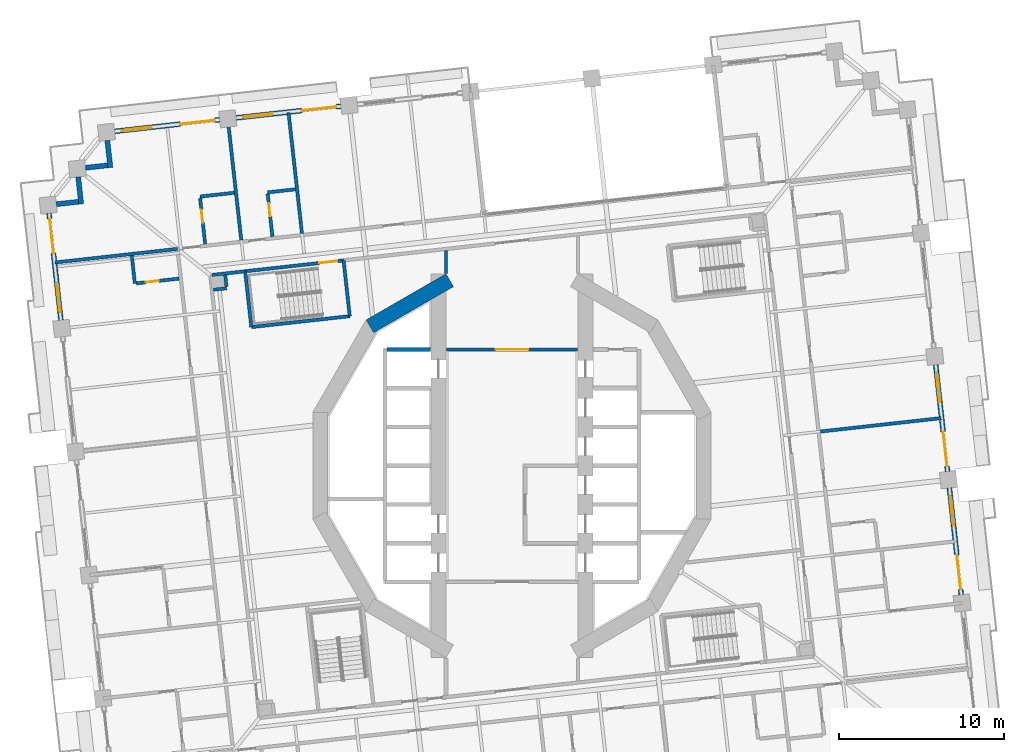
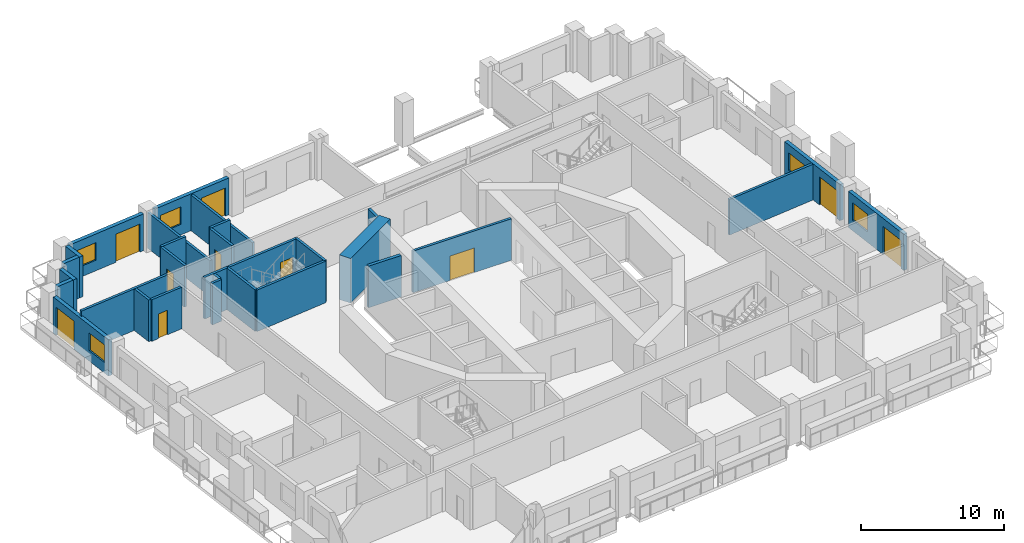
# One storey, part 11 of 20: 30 walls, 10 doors, 5 windows, 15 openings.
"""IFC4 building model written with IfcOpenShell, lengths in metres."""

from ifc_helpers import new_model, si_unit, direction, frame, frame_2d, origin, place, context, subcontext, project, spatial, rectangle, extrude, material, layer, layer_set, type_object, element, fill, save


model = new_model("IFC4")

# Units and contexts
model_context = context("Model", 3, precision=1e-05, world=origin(), true_north=direction((0.0, 1.0)))
body_context = subcontext(model_context, "Body", "Model", "MODEL_VIEW")
ifc_project = project(units=[si_unit("LENGTHUNIT", "METRE"), si_unit("AREAUNIT", "SQUARE_METRE"), si_unit("VOLUMEUNIT", "CUBIC_METRE"), si_unit("PLANEANGLEUNIT", "RADIAN"), si_unit("MASSUNIT", "GRAM", prefix="KILO")], contexts=[model_context])

# Site, building, storey
site_placement = place(None, origin())
site = spatial("IfcSite", under=ifc_project, at=site_placement, CompositionType="ELEMENT")
building_placement = place(site_placement, origin())
building = spatial("IfcBuilding", under=site, at=building_placement, Name="Cantera Rosa Tower", CompositionType="ELEMENT")
storey_placement = place(building_placement, frame((0.0, 0.0, 46.300048828125)))
storey = spatial("IfcBuildingStorey", under=building, at=storey_placement, Name="L08", CompositionType="ELEMENT", Elevation=46.300048828125)

# Walls
ifc_material_1 = material(Name="Gypsum board partition")
ifc_layer_1 = layer(ifc_material_1, 0.199951171875)
ifc_layer_set_1 = layer_set([ifc_layer_1], Name="CORRIDOR WALL 200 H3550")
wall_type_1 = type_object("IfcWallType", Name="CORRIDOR WALL 200 H3550", PredefinedType="PARTITIONING", material=ifc_layer_set_1)
wall_1_placement = place(storey_placement, frame((-16.172607421875, 11.787841796875, 0.0), z_axis=(0.0, 0.0, 1.0), x_axis=(-0.993905752705, -0.110233183482, 0.0)))
element("IfcWall", 1, at=wall_1_placement, inside=storey, type_object=wall_type_1, Name="CORRIDOR WALL L08-021", PredefinedType="PARTITIONING", context=body_context, shape_type="SweptSolid", body=[
    extrude(rectangle(XDim=2.026611328125, YDim=0.199951171875, at=frame_2d((1.01318359375, 0.0))), origin(), (0.0, 0.0, 1.0), 3.550048828125),
])
wall_2_placement = place(storey_placement, frame((-4.0, 13.038818359375, 0.0), z_axis=(0.0, 0.0, 1.0), x_axis=(0.0, -1.0, 0.0)))
element("IfcWall", 2, at=wall_2_placement, inside=storey, type_object=wall_type_1, Name="CORRIDOR WALL L08-053", PredefinedType="PARTITIONING", context=body_context, shape_type="SweptSolid", body=[
    extrude(rectangle(XDim=1.37158203125, YDim=0.199951171875, at=frame_2d((0.685791015625, 0.0))), origin(), (0.0, 0.0, 1.0), 3.550048828125),
])

# Wall, opening, door
wall_3_placement = place(storey_placement, frame((-3.969970703125, 7.050048828125, 0.0), z_axis=(0.0, 0.0, 1.0), x_axis=(1.0, 0.0, 0.0)))
wall_3 = element("IfcWall", 3, at=wall_3_placement, inside=storey, type_object=wall_type_1, Name="CORRIDOR WALL L08-054", PredefinedType="PARTITIONING", context=body_context, shape_type="SweptSolid", body=[
    extrude(rectangle(XDim=7.93994140625, YDim=0.199951171875, at=frame_2d((3.969970703125, 0.0))), origin(), (0.0, 0.0, 1.0), 3.550048828125),
])
opening_1_placement = place(wall_3_placement, frame((2.969970703125, 0.0, 0.0)))
opening_1 = element("IfcOpeningElement", 4, at=opening_1_placement, cuts=wall_3, Name="Opening L08-011", PredefinedType="OPENING", context=body_context, shape_type="SweptSolid", body=[
    extrude(rectangle(XDim=2.0, YDim=2.10009765625, at=frame_2d((1.0, 1.050048828125))), frame((0.0, 0.10986328125, 0.0), z_axis=(0.0, -1.0, 0.0), x_axis=(1.0, 0.0, 0.0)), (0.0, 0.0, 1.0), 0.219970703125),
])
ifc_material_2 = material(Name="Steel S355J2 (EN 10025-2)", Category="steel")
door_type_1 = type_object("IfcDoorType", Name="LOBBY SCREEN DOOR 2000x2100", OperationType="NOTDEFINED", PredefinedType="DOOR", material=ifc_material_2)
door_1_placement = place(opening_1_placement, origin())
door_1 = element("IfcDoor", 5, at=door_1_placement, inside=storey, type_object=door_type_1, Name="DOOR L08-011", OperationType="NOTDEFINED", OverallHeight=2.10009765625, OverallWidth=2.0, PredefinedType="DOOR", context=body_context, shape_type="SweptSolid", body=[
    extrude(rectangle(XDim=2.0, YDim=2.10009765625, at=frame_2d((1.0, 1.050048828125))), frame((0.0, 0.02490234375, 0.0), z_axis=(0.0, -1.0, 0.0), x_axis=(1.0, 0.0, 0.0)), (0.0, 0.0, 1.0), 0.050048828125),
])
fill(opening_1, door_1)

# Walls
ifc_material_3 = material(Name="Hollow clay masonry with cantera stone cladding", Category="masonry")
ifc_layer_2 = layer(ifc_material_3, 0.300048828125)
ifc_layer_set_2 = layer_set([ifc_layer_2], Name="EW-LOGGIA 300")
wall_type_2 = type_object("IfcWallType", Name="EW-LOGGIA 300", PredefinedType="SOLIDWALL", material=ifc_layer_set_2)
wall_4_placement = place(storey_placement, frame((-24.5244140625, 19.71484375, 0.0), z_axis=(0.0, 0.0, 1.0), x_axis=(0.110236638423, -0.993905369514, 0.0)))
element("IfcWall", 6, at=wall_4_placement, inside=storey, type_object=wall_type_2, Name="EN-L08-W14a", PredefinedType="SOLIDWALL", context=body_context, shape_type="SweptSolid", body=[
    extrude(rectangle(XDim=1.64990234375, YDim=0.300048828125, at=frame_2d((0.824951171875, 0.0))), origin(), (0.0, 0.0, 1.0), 3.5),
])
wall_5_placement = place(storey_placement, frame((-24.508056640625, 18.20751953125, 0.0), z_axis=(0.0, 0.0, 1.0), x_axis=(-0.993896959738, -0.110312435488, 0.0)))
element("IfcWall", 7, at=wall_5_placement, inside=storey, type_object=wall_type_2, Name="EN-L08-W14b", PredefinedType="SOLIDWALL", context=body_context, shape_type="SweptSolid", body=[
    extrude(rectangle(XDim=1.35009765625, YDim=0.300048828125, at=frame_2d((0.675048828125, 0.0))), origin(), (0.0, 0.0, 1.0), 3.5),
])
wall_6_placement = place(storey_placement, frame((-26.291748046875, 17.506591796875, 0.0), z_axis=(0.0, 0.0, 1.0), x_axis=(0.110382805355, -0.993889146878, 0.0)))
element("IfcWall", 8, at=wall_6_placement, inside=storey, type_object=wall_type_2, Name="EN-L08-W15a", PredefinedType="SOLIDWALL", context=body_context, shape_type="SweptSolid", body=[
    extrude(rectangle(XDim=1.64990234375, YDim=0.300048828125, at=frame_2d((0.824951171875, 0.0))), origin(), (0.0, 0.0, 1.0), 3.5),
])
wall_7_placement = place(storey_placement, frame((-26.275146484375, 15.999267578125, 0.0), z_axis=(0.0, 0.0, 1.0), x_axis=(-0.993896959738, -0.110312435488, 0.0)))
element("IfcWall", 9, at=wall_7_placement, inside=storey, type_object=wall_type_2, Name="EN-L08-W15b", PredefinedType="SOLIDWALL", context=body_context, shape_type="SweptSolid", body=[
    extrude(rectangle(XDim=1.35009765625, YDim=0.300048828125, at=frame_2d((0.675048828125, 0.0))), origin(), (0.0, 0.0, 1.0), 3.5),
])

# Wall, openings, window, door
ifc_material_4 = material(Name="Hollow clay masonry with cantera stone cladding", Category="masonry")
ifc_layer_3 = layer(ifc_material_4, 0.300048828125)
ifc_layer_set_3 = layer_set([ifc_layer_3], Name="EW-LOGGIA 300 H3090")
wall_type_3 = type_object("IfcWallType", Name="EW-LOGGIA 300 H3090", PredefinedType="SOLIDWALL", material=ifc_layer_set_3)
wall_8_placement = place(storey_placement, frame((27.229248046875, -7.823974609375, 0.0), z_axis=(0.0, 0.0, 1.0), x_axis=(-0.110312341265, 0.993896970196, 0.0)))
wall_8 = element("IfcWall", 10, at=wall_8_placement, inside=storey, type_object=wall_type_3, Name="EN-L08-W02", PredefinedType="SOLIDWALL", context=body_context, shape_type="SweptSolid", body=[
    extrude(rectangle(XDim=6.52001953125, YDim=0.300048828125, at=frame_2d((3.260009765625, 0.0))), origin(), (0.0, 0.0, 1.0), 3.08984375),
])
opening_2_placement = place(wall_8_placement, frame((0.330078125, 0.0, 0.0)))
opening_2 = element("IfcOpeningElement", 11, at=opening_2_placement, cuts=wall_8, Name="Opening L08-TD03", PredefinedType="OPENING", context=body_context, shape_type="SweptSolid", body=[
    extrude(rectangle(XDim=2.10009765625, YDim=2.39990234375, at=frame_2d((1.050048828125, 1.199951171875))), frame((0.0, 0.159912109375, 0.0), z_axis=(0.0, -1.0, 0.0), x_axis=(1.0, 0.0, 0.0)), (0.0, 0.0, 1.0), 0.320068359375),
])
opening_3_placement = place(wall_8_placement, frame((4.239990234375, 0.0, 0.89990234375)))
opening_3 = element("IfcOpeningElement", 12, at=opening_3_placement, cuts=wall_8, Name="Opening L08-W04", PredefinedType="OPENING", context=body_context, shape_type="SweptSolid", body=[
    extrude(rectangle(XDim=1.800048828125, YDim=1.5, at=frame_2d((0.89990234375, 0.75))), frame((0.0, 0.159912109375, 0.0), z_axis=(0.0, -1.0, 0.0), x_axis=(1.0, 0.0, 0.0)), (0.0, 0.0, 1.0), 0.320068359375),
])
ifc_material_5 = material(Name="Aluminium frame with clear glass", Category="aluminium")
window_type = type_object("IfcWindowType", Name="Hotel room window 1800x1500", PartitioningType="DOUBLE_PANEL_VERTICAL", PredefinedType="WINDOW", material=ifc_material_5)
window_1_placement = place(opening_3_placement, origin())
window_1 = element("IfcWindow", 13, at=window_1_placement, inside=storey, type_object=window_type, Name="WINDOW L08-W04", OverallHeight=1.5, OverallWidth=1.800048828125, PartitioningType="SINGLE_PANEL", PredefinedType="WINDOW", context=body_context, shape_type="SweptSolid", body=[
    extrude(rectangle(XDim=1.800048828125, YDim=1.5, at=frame_2d((0.89990234375, 0.75))), frame((0.0, 0.030029296875, 0.0), z_axis=(0.0, -1.0, 0.0), x_axis=(1.0, 0.0, 0.0)), (0.0, 0.0, 1.0), 0.06005859375),
])
fill(opening_3, window_1)
ifc_material_6 = material(Name="Aluminium frame with clear glass", Category="aluminium")
door_type_2 = type_object("IfcDoorType", Name="TD-H 2100x2400", OperationType="NOTDEFINED", PredefinedType="DOOR", material=ifc_material_6)
door_2_placement = place(opening_2_placement, origin())
door_2 = element("IfcDoor", 14, at=door_2_placement, inside=storey, type_object=door_type_2, Name="LOGGIA DOOR L08-TD03", OperationType="SLIDING_TO_LEFT", OverallHeight=2.39990234375, OverallWidth=2.10009765625, PredefinedType="DOOR", context=body_context, shape_type="SweptSolid", body=[
    extrude(rectangle(XDim=2.10009765625, YDim=2.39990234375, at=frame_2d((1.050048828125, 1.199951171875))), frame((0.0, 0.02490234375, 0.0), z_axis=(0.0, -1.0, 0.0), x_axis=(1.0, 0.0, 0.0)), (0.0, 0.0, 1.0), 0.050048828125),
])
fill(opening_2, door_2)

wall_9_placement = place(storey_placement, frame((26.399658203125, -0.349853515625, 0.0), z_axis=(0.0, 0.0, 1.0), x_axis=(-0.110312341265, 0.993896970196, 0.0)))
wall_9 = element("IfcWall", 15, at=wall_9_placement, inside=storey, type_object=wall_type_3, Name="EN-L08-W03", PredefinedType="SOLIDWALL", context=body_context, shape_type="SweptSolid", body=[
    extrude(rectangle(XDim=6.52001953125, YDim=0.300048828125, at=frame_2d((3.260009765625, 0.0))), origin(), (0.0, 0.0, 1.0), 3.08984375),
])
opening_4_placement = place(wall_9_placement, frame((0.330078125, 0.0, 0.0)))
opening_4 = element("IfcOpeningElement", 16, at=opening_4_placement, cuts=wall_9, Name="Opening L08-TD05", PredefinedType="OPENING", context=body_context, shape_type="SweptSolid", body=[
    extrude(rectangle(XDim=2.10009765625, YDim=2.39990234375, at=frame_2d((1.050048828125, 1.199951171875))), frame((0.0, 0.159912109375, 0.0), z_axis=(0.0, -1.0, 0.0), x_axis=(1.0, 0.0, 0.0)), (0.0, 0.0, 1.0), 0.320068359375),
])
opening_5_placement = place(wall_9_placement, frame((4.239990234375, 0.0, 0.89990234375)))
opening_5 = element("IfcOpeningElement", 17, at=opening_5_placement, cuts=wall_9, Name="Opening L08-W06", PredefinedType="OPENING", context=body_context, shape_type="SweptSolid", body=[
    extrude(rectangle(XDim=1.800048828125, YDim=1.5, at=frame_2d((0.89990234375, 0.75))), frame((0.0, 0.159912109375, 0.0), z_axis=(0.0, -1.0, 0.0), x_axis=(1.0, 0.0, 0.0)), (0.0, 0.0, 1.0), 0.320068359375),
])
window_2_placement = place(opening_5_placement, origin())
window_2 = element("IfcWindow", 18, at=window_2_placement, inside=storey, type_object=window_type, Name="WINDOW L08-W06", OverallHeight=1.5, OverallWidth=1.800048828125, PartitioningType="SINGLE_PANEL", PredefinedType="WINDOW", context=body_context, shape_type="SweptSolid", body=[
    extrude(rectangle(XDim=1.800048828125, YDim=1.5, at=frame_2d((0.89990234375, 0.75))), frame((0.0, 0.030029296875, 0.0), z_axis=(0.0, -1.0, 0.0), x_axis=(1.0, 0.0, 0.0)), (0.0, 0.0, 1.0), 0.06005859375),
])
fill(opening_5, window_2)
door_3_placement = place(opening_4_placement, origin())
door_3 = element("IfcDoor", 19, at=door_3_placement, inside=storey, type_object=door_type_2, Name="LOGGIA DOOR L08-TD05", OperationType="SLIDING_TO_LEFT", OverallHeight=2.39990234375, OverallWidth=2.10009765625, PredefinedType="DOOR", context=body_context, shape_type="SweptSolid", body=[
    extrude(rectangle(XDim=2.10009765625, YDim=2.39990234375, at=frame_2d((1.050048828125, 1.199951171875))), frame((0.0, 0.02490234375, 0.0), z_axis=(0.0, -1.0, 0.0), x_axis=(1.0, 0.0, 0.0)), (0.0, 0.0, 1.0), 0.050048828125),
])
fill(opening_4, door_3)

wall_10_placement = place(storey_placement, frame((-28.058837890625, 15.298095703125, 0.0), z_axis=(0.0, 0.0, 1.0), x_axis=(0.110312341265, -0.993896970196, 0.0)))
wall_10 = element("IfcWall", 20, at=wall_10_placement, inside=storey, type_object=wall_type_3, Name="EN-L08-W16", PredefinedType="SOLIDWALL", context=body_context, shape_type="SweptSolid", body=[
    extrude(rectangle(XDim=6.52001953125, YDim=0.300048828125, at=frame_2d((3.260009765625, 0.0))), origin(), (0.0, 0.0, 1.0), 3.08984375),
])
opening_6_placement = place(wall_10_placement, frame((0.330078125, 0.0, 0.0)))
opening_6 = element("IfcOpeningElement", 21, at=opening_6_placement, cuts=wall_10, Name="Opening L08-TD19", PredefinedType="OPENING", context=body_context, shape_type="SweptSolid", body=[
    extrude(rectangle(XDim=2.10009765625, YDim=2.39990234375, at=frame_2d((1.050048828125, 1.199951171875))), frame((0.0, 0.159912109375, 0.0), z_axis=(0.0, -1.0, 0.0), x_axis=(1.0, 0.0, 0.0)), (0.0, 0.0, 1.0), 0.320068359375),
])
opening_7_placement = place(wall_10_placement, frame((4.239990234375, 0.0, 0.89990234375)))
opening_7 = element("IfcOpeningElement", 22, at=opening_7_placement, cuts=wall_10, Name="Opening L08-W20", PredefinedType="OPENING", context=body_context, shape_type="SweptSolid", body=[
    extrude(rectangle(XDim=1.800048828125, YDim=1.5, at=frame_2d((0.89990234375, 0.75))), frame((0.0, 0.159912109375, 0.0), z_axis=(0.0, -1.0, 0.0), x_axis=(1.0, 0.0, 0.0)), (0.0, 0.0, 1.0), 0.320068359375),
])
window_3_placement = place(opening_7_placement, origin())
window_3 = element("IfcWindow", 23, at=window_3_placement, inside=storey, type_object=window_type, Name="WINDOW L08-W20", OverallHeight=1.5, OverallWidth=1.800048828125, PartitioningType="SINGLE_PANEL", PredefinedType="WINDOW", context=body_context, shape_type="SweptSolid", body=[
    extrude(rectangle(XDim=1.800048828125, YDim=1.5, at=frame_2d((0.89990234375, 0.75))), frame((0.0, 0.030029296875, 0.0), z_axis=(0.0, -1.0, 0.0), x_axis=(1.0, 0.0, 0.0)), (0.0, 0.0, 1.0), 0.06005859375),
])
fill(opening_7, window_3)
door_4_placement = place(opening_6_placement, origin())
door_4 = element("IfcDoor", 24, at=door_4_placement, inside=storey, type_object=door_type_2, Name="LOGGIA DOOR L08-TD19", OperationType="SLIDING_TO_LEFT", OverallHeight=2.39990234375, OverallWidth=2.10009765625, PredefinedType="DOOR", context=body_context, shape_type="SweptSolid", body=[
    extrude(rectangle(XDim=2.10009765625, YDim=2.39990234375, at=frame_2d((1.050048828125, 1.199951171875))), frame((0.0, 0.02490234375, 0.0), z_axis=(0.0, -1.0, 0.0), x_axis=(1.0, 0.0, 0.0)), (0.0, 0.0, 1.0), 0.050048828125),
])
fill(opening_6, door_4)

ifc_material_7 = material(Name="Hollow clay masonry with cantera stone cladding", Category="masonry")
ifc_layer_4 = layer(ifc_material_7, 0.300048828125)
ifc_layer_set_4 = layer_set([ifc_layer_4], Name="EW-LOGGIA 300 H3140")
wall_type_4 = type_object("IfcWallType", Name="EW-LOGGIA 300 H3140", PredefinedType="SOLIDWALL", material=ifc_layer_set_4)
wall_11_placement = place(storey_placement, frame((-10.366943359375, 21.789306640625, 0.0), z_axis=(0.0, 0.0, 1.0), x_axis=(-0.993900006422, -0.110284981906, 0.0)))
wall_11 = element("IfcWall", 25, at=wall_11_placement, inside=storey, type_object=wall_type_4, Name="EN-L08-W12", PredefinedType="SOLIDWALL", context=body_context, shape_type="SweptSolid", body=[
    extrude(rectangle(XDim=6.39990234375, YDim=0.300048828125, at=frame_2d((3.199951171875, 0.0))), origin(), (0.0, 0.0, 1.0), 3.139892578125),
])
opening_8_placement = place(wall_11_placement, frame((0.300048828125, 0.0, 0.0)))
opening_8 = element("IfcOpeningElement", 26, at=opening_8_placement, cuts=wall_11, Name="Opening L08-TD15", PredefinedType="OPENING", context=body_context, shape_type="SweptSolid", body=[
    extrude(rectangle(XDim=2.10009765625, YDim=2.39990234375, at=frame_2d((1.050048828125, 1.199951171875))), frame((0.0, 0.159912109375, 0.0), z_axis=(0.0, -1.0, 0.0), x_axis=(1.0, 0.0, 0.0)), (0.0, 0.0, 1.0), 0.320068359375),
])
opening_9_placement = place(wall_11_placement, frame((4.14990234375, 0.0, 0.89990234375)))
opening_9 = element("IfcOpeningElement", 27, at=opening_9_placement, cuts=wall_11, Name="Opening L08-W16", PredefinedType="OPENING", context=body_context, shape_type="SweptSolid", body=[
    extrude(rectangle(XDim=1.800048828125, YDim=1.5, at=frame_2d((0.89990234375, 0.75))), frame((0.0, 0.159912109375, 0.0), z_axis=(0.0, -1.0, 0.0), x_axis=(1.0, 0.0, 0.0)), (0.0, 0.0, 1.0), 0.320068359375),
])
window_4_placement = place(opening_9_placement, origin())
window_4 = element("IfcWindow", 28, at=window_4_placement, inside=storey, type_object=window_type, Name="WINDOW L08-W16", OverallHeight=1.5, OverallWidth=1.800048828125, PartitioningType="SINGLE_PANEL", PredefinedType="WINDOW", context=body_context, shape_type="SweptSolid", body=[
    extrude(rectangle(XDim=1.800048828125, YDim=1.5, at=frame_2d((0.89990234375, 0.75))), frame((0.0, 0.030029296875, 0.0), z_axis=(0.0, -1.0, 0.0), x_axis=(1.0, 0.0, 0.0)), (0.0, 0.0, 1.0), 0.06005859375),
])
fill(opening_9, window_4)
door_5_placement = place(opening_8_placement, origin())
door_5 = element("IfcDoor", 29, at=door_5_placement, inside=storey, type_object=door_type_2, Name="LOGGIA DOOR L08-TD15", OperationType="SLIDING_TO_LEFT", OverallHeight=2.39990234375, OverallWidth=2.10009765625, PredefinedType="DOOR", context=body_context, shape_type="SweptSolid", body=[
    extrude(rectangle(XDim=2.10009765625, YDim=2.39990234375, at=frame_2d((1.050048828125, 1.199951171875))), frame((0.0, 0.02490234375, 0.0), z_axis=(0.0, -1.0, 0.0), x_axis=(1.0, 0.0, 0.0)), (0.0, 0.0, 1.0), 0.050048828125),
])
fill(opening_8, door_5)

wall_12_placement = place(storey_placement, frame((-17.7216796875, 20.97314453125, 0.0), z_axis=(0.0, 0.0, 1.0), x_axis=(-0.993896288542, -0.110318482689, 0.0)))
wall_12 = element("IfcWall", 30, at=wall_12_placement, inside=storey, type_object=wall_type_4, Name="EN-L08-W13", PredefinedType="SOLIDWALL", context=body_context, shape_type="SweptSolid", body=[
    extrude(rectangle(XDim=6.400146484375, YDim=0.300048828125, at=frame_2d((3.2001953125, 0.0))), origin(), (0.0, 0.0, 1.0), 3.139892578125),
])
opening_10_placement = place(wall_12_placement, frame((0.300048828125, 0.0, 0.0)))
opening_10 = element("IfcOpeningElement", 31, at=opening_10_placement, cuts=wall_12, Name="Opening L08-TD17", PredefinedType="OPENING", context=body_context, shape_type="SweptSolid", body=[
    extrude(rectangle(XDim=2.10009765625, YDim=2.39990234375, at=frame_2d((1.050048828125, 1.199951171875))), frame((0.0, 0.159912109375, 0.0), z_axis=(0.0, -1.0, 0.0), x_axis=(1.0, 0.0, 0.0)), (0.0, 0.0, 1.0), 0.320068359375),
])
opening_11_placement = place(wall_12_placement, frame((4.14990234375, 0.0, 0.89990234375)))
opening_11 = element("IfcOpeningElement", 32, at=opening_11_placement, cuts=wall_12, Name="Opening L08-W18", PredefinedType="OPENING", context=body_context, shape_type="SweptSolid", body=[
    extrude(rectangle(XDim=1.800048828125, YDim=1.5, at=frame_2d((0.89990234375, 0.75))), frame((0.0, 0.159912109375, 0.0), z_axis=(0.0, -1.0, 0.0), x_axis=(1.0, 0.0, 0.0)), (0.0, 0.0, 1.0), 0.320068359375),
])
window_5_placement = place(opening_11_placement, origin())
window_5 = element("IfcWindow", 33, at=window_5_placement, inside=storey, type_object=window_type, Name="WINDOW L08-W18", OverallHeight=1.5, OverallWidth=1.800048828125, PartitioningType="SINGLE_PANEL", PredefinedType="WINDOW", context=body_context, shape_type="SweptSolid", body=[
    extrude(rectangle(XDim=1.800048828125, YDim=1.5, at=frame_2d((0.89990234375, 0.75))), frame((0.0, 0.030029296875, 0.0), z_axis=(0.0, -1.0, 0.0), x_axis=(1.0, 0.0, 0.0)), (0.0, 0.0, 1.0), 0.06005859375),
])
fill(opening_11, window_5)
door_6_placement = place(opening_10_placement, origin())
door_6 = element("IfcDoor", 34, at=door_6_placement, inside=storey, type_object=door_type_2, Name="LOGGIA DOOR L08-TD17", OperationType="SLIDING_TO_LEFT", OverallHeight=2.39990234375, OverallWidth=2.10009765625, PredefinedType="DOOR", context=body_context, shape_type="SweptSolid", body=[
    extrude(rectangle(XDim=2.10009765625, YDim=2.39990234375, at=frame_2d((1.050048828125, 1.199951171875))), frame((0.0, 0.02490234375, 0.0), z_axis=(0.0, -1.0, 0.0), x_axis=(1.0, 0.0, 0.0)), (0.0, 0.0, 1.0), 0.050048828125),
])
fill(opening_10, door_6)

# Wall
ifc_material_8 = material(Name="Gypsum board partition")
ifc_layer_5 = layer(ifc_material_8, 0.199951171875)
ifc_layer_set_5 = layer_set([ifc_layer_5], Name="PARTITION 200 H3550")
wall_type_5 = type_object("IfcWallType", Name="PARTITION 200 H3550", PredefinedType="PARTITIONING", material=ifc_layer_set_5)
wall_13_placement = place(storey_placement, frame((-22.85791015625, 11.0458984375, 0.0), z_axis=(0.0, 0.0, 1.0), x_axis=(-0.110289669906, 0.993899486222, 0.0)))
element("IfcWall", 35, at=wall_13_placement, inside=storey, type_object=wall_type_5, Name="PARTITION L08-004", PredefinedType="PARTITIONING", context=body_context, shape_type="SweptSolid", body=[
    extrude(rectangle(XDim=1.699951171875, YDim=0.199951171875, at=frame_2d((0.85009765625, 0.0))), origin(), (0.0, 0.0, 1.0), 3.550048828125),
])

# Wall, opening, door
wall_14_placement = place(storey_placement, frame((-20.174560546875, 11.34375, 0.0), z_axis=(0.0, 0.0, 1.0), x_axis=(-0.993894037028, -0.110338765449, 0.0)))
wall_14 = element("IfcWall", 36, at=wall_14_placement, inside=storey, type_object=wall_type_5, Name="PARTITION L08-011", PredefinedType="PARTITIONING", context=body_context, shape_type="SweptSolid", body=[
    extrude(rectangle(XDim=2.599853515625, YDim=0.199951171875, at=frame_2d((1.2998046875, 0.0))), origin(), (0.0, 0.0, 1.0), 3.550048828125),
])
opening_12_placement = place(wall_14_placement, frame((1.236083984375, 0.0, 0.0)))
opening_12 = element("IfcOpeningElement", 37, at=opening_12_placement, cuts=wall_14, Name="Opening L08-036", PredefinedType="OPENING", context=body_context, shape_type="SweptSolid", body=[
    extrude(rectangle(XDim=0.800048828125, YDim=2.10009765625, at=frame_2d((0.39990234375, 1.050048828125))), frame((0.0, 0.10986328125, 0.0), z_axis=(0.0, -1.0, 0.0), x_axis=(1.0, 0.0, 0.0)), (0.0, 0.0, 1.0), 0.219970703125),
])
ifc_material_9 = material(Name="Timber door leaf", Category="wood")
door_type_3 = type_object("IfcDoorType", Name="BATHROOM DOOR 800x2100", OperationType="NOTDEFINED", PredefinedType="DOOR", material=ifc_material_9)
door_7_placement = place(opening_12_placement, origin())
door_7 = element("IfcDoor", 38, at=door_7_placement, inside=storey, type_object=door_type_3, Name="DOOR L08-036", OperationType="NOTDEFINED", OverallHeight=2.10009765625, OverallWidth=0.800048828125, PredefinedType="DOOR", context=body_context, shape_type="SweptSolid", body=[
    extrude(rectangle(XDim=0.800048828125, YDim=2.10009765625, at=frame_2d((0.39990234375, 1.050048828125))), frame((0.0, 0.02490234375, 0.0), z_axis=(0.0, -1.0, 0.0), x_axis=(1.0, 0.0, 0.0)), (0.0, 0.0, 1.0), 0.050048828125),
])
fill(opening_12, door_7)

# Wall
wall_15_placement = place(storey_placement, frame((-18.9150390625, 16.31298828125, 0.0), z_axis=(0.0, 0.0, 1.0), x_axis=(0.993895071737, 0.11032944474, 0.0)))
element("IfcWall", 39, at=wall_15_placement, inside=storey, type_object=wall_type_5, Name="PARTITION L08-013", PredefinedType="PARTITIONING", context=body_context, shape_type="SweptSolid", body=[
    extrude(rectangle(XDim=2.10009765625, YDim=0.199951171875, at=frame_2d((1.050048828125, 0.0))), origin(), (0.0, 0.0, 1.0), 3.550048828125),
])

# Wall, opening, door
wall_16_placement = place(storey_placement, frame((-18.59521484375, 13.4306640625, 0.0), z_axis=(0.0, 0.0, 1.0), x_axis=(-0.11021141528, 0.993908166755, 0.0)))
wall_16 = element("IfcWall", 40, at=wall_16_placement, inside=storey, type_object=wall_type_5, Name="PARTITION L08-014", PredefinedType="PARTITIONING", context=body_context, shape_type="SweptSolid", body=[
    extrude(rectangle(XDim=2.800048828125, YDim=0.199951171875, at=frame_2d((1.39990234375, 0.0))), origin(), (0.0, 0.0, 1.0), 3.550048828125),
])
opening_13_placement = place(wall_16_placement, frame((1.300048828125, 0.0, 0.0)))
opening_13 = element("IfcOpeningElement", 41, at=opening_13_placement, cuts=wall_16, Name="Opening L08-031", PredefinedType="OPENING", context=body_context, shape_type="SweptSolid", body=[
    extrude(rectangle(XDim=0.800048828125, YDim=2.10009765625, at=frame_2d((0.39990234375, 1.050048828125))), frame((0.0, 0.10986328125, 0.0), z_axis=(0.0, -1.0, 0.0), x_axis=(1.0, 0.0, 0.0)), (0.0, 0.0, 1.0), 0.219970703125),
])
door_8_placement = place(opening_13_placement, origin())
door_8 = element("IfcDoor", 42, at=door_8_placement, inside=storey, type_object=door_type_3, Name="DOOR L08-031", OperationType="NOTDEFINED", OverallHeight=2.10009765625, OverallWidth=0.800048828125, PredefinedType="DOOR", context=body_context, shape_type="SweptSolid", body=[
    extrude(rectangle(XDim=0.800048828125, YDim=2.10009765625, at=frame_2d((0.39990234375, 1.050048828125))), frame((0.0, 0.02490234375, 0.0), z_axis=(0.0, -1.0, 0.0), x_axis=(1.0, 0.0, 0.0)), (0.0, 0.0, 1.0), 0.050048828125),
])
fill(opening_13, door_8)

# Walls
wall_17_placement = place(storey_placement, frame((-18.08740234375, 10.669921875, 0.0), z_axis=(0.0, 0.0, 1.0), x_axis=(0.993913470482, 0.110163574714, 0.0)))
element("IfcWall", 43, at=wall_17_placement, inside=storey, type_object=wall_type_5, Name="PARTITION L08-016", PredefinedType="PARTITIONING", context=body_context, shape_type="SweptSolid", body=[
    extrude(rectangle(XDim=0.800048828125, YDim=0.199951171875, at=frame_2d((0.39990234375, 0.0))), origin(), (0.0, 0.0, 1.0), 3.550048828125),
])
wall_18_placement = place(storey_placement, frame((-17.30322265625, 10.857421875, 0.0), z_axis=(0.0, 0.0, 1.0), x_axis=(-0.110546349969, 0.993870969748, 0.0)))
element("IfcWall", 44, at=wall_18_placement, inside=storey, type_object=wall_type_5, Name="PARTITION L08-018", PredefinedType="PARTITIONING", context=body_context, shape_type="SweptSolid", body=[
    extrude(rectangle(XDim=0.7001953125, YDim=0.199951171875, at=frame_2d((0.35009765625, 0.0))), origin(), (0.0, 0.0, 1.0), 3.550048828125),
])
wall_19_placement = place(storey_placement, frame((-14.81787109375, 16.56640625, 0.0), z_axis=(0.0, 0.0, 1.0), x_axis=(0.993897739047, 0.110305413813, 0.0)))
element("IfcWall", 45, at=wall_19_placement, inside=storey, type_object=wall_type_5, Name="PARTITION L08-026", PredefinedType="PARTITIONING", context=body_context, shape_type="SweptSolid", body=[
    extrude(rectangle(XDim=1.69970703125, YDim=0.199951171875, at=frame_2d((0.849853515625, 0.0))), origin(), (0.0, 0.0, 1.0), 3.550048828125),
])

# Wall, opening, door
wall_20_placement = place(storey_placement, frame((-14.52001953125, 13.883056640625, 0.0), z_axis=(0.0, 0.0, 1.0), x_axis=(-0.110338765449, 0.993894037028, 0.0)))
wall_20 = element("IfcWall", 46, at=wall_20_placement, inside=storey, type_object=wall_type_5, Name="PARTITION L08-028", PredefinedType="PARTITIONING", context=body_context, shape_type="SweptSolid", body=[
    extrude(rectangle(XDim=2.599853515625, YDim=0.199951171875, at=frame_2d((1.2998046875, 0.0))), origin(), (0.0, 0.0, 1.0), 3.550048828125),
])
opening_14_placement = place(wall_20_placement, frame((1.236083984375, 0.0, 0.0)))
opening_14 = element("IfcOpeningElement", 47, at=opening_14_placement, cuts=wall_20, Name="Opening L08-027", PredefinedType="OPENING", context=body_context, shape_type="SweptSolid", body=[
    extrude(rectangle(XDim=0.800048828125, YDim=2.10009765625, at=frame_2d((0.39990234375, 1.050048828125))), frame((0.0, 0.10986328125, 0.0), z_axis=(0.0, -1.0, 0.0), x_axis=(1.0, 0.0, 0.0)), (0.0, 0.0, 1.0), 0.219970703125),
])
door_9_placement = place(opening_14_placement, origin())
door_9 = element("IfcDoor", 48, at=door_9_placement, inside=storey, type_object=door_type_3, Name="DOOR L08-027", OperationType="NOTDEFINED", OverallHeight=2.10009765625, OverallWidth=0.800048828125, PredefinedType="DOOR", context=body_context, shape_type="SweptSolid", body=[
    extrude(rectangle(XDim=0.800048828125, YDim=2.10009765625, at=frame_2d((0.39990234375, 1.050048828125))), frame((0.0, 0.02490234375, 0.0), z_axis=(0.0, -1.0, 0.0), x_axis=(1.0, 0.0, 0.0)), (0.0, 0.0, 1.0), 0.050048828125),
])
fill(opening_14, door_9)

# Walls
ifc_material_10 = material(Name="Gypsum board partition")
ifc_layer_6 = layer(ifc_material_10, 0.199951171875)
ifc_layer_set_6 = layer_set([ifc_layer_6], Name="PARTY WALL 200 H3050")
wall_type_6 = type_object("IfcWallType", Name="PARTY WALL 200 H3050", PredefinedType="PARTITIONING", material=ifc_layer_set_6)
for number, where, z_axis, x_axis, name in (
    (49, (-16.408447265625, 13.67333984375, 0.0), (0.0, 0.0, 1.0), (-0.11031154238, 0.993897058864, 0.0), "PARTY WALL L08-020"),
    (50, (-12.731201171875, 14.08154296875, 0.0), (0.0, 0.0, 1.0), (-0.11031154238, 0.993897058864, 0.0), "PARTY WALL L08-030"),
    (51, (18.685302734375, 2.073974609375, 0.0), (0.0, 0.0, 1.0), (0.993897058864, 0.11031154238, 0.0), "PARTY WALL L08-106"),
):
    element("IfcWall", number, at=place(storey_placement, frame(where, z_axis=z_axis, x_axis=x_axis)), inside=storey, type_object=wall_type_6, Name=name, PredefinedType="PARTITIONING", context=body_context, shape_type="SweptSolid", body=[
        extrude(rectangle(XDim=7.369873046875, YDim=0.199951171875, at=frame_2d((3.68505859375, 0.0))), origin(), (0.0, 0.0, 1.0), 3.050048828125),
    ])
ifc_material_11 = material(Name="Gypsum board partition")
ifc_layer_7 = layer(ifc_material_11, 0.199951171875)
ifc_layer_set_7 = layer_set([ifc_layer_7], Name="PARTY WALL 200 H3550")
wall_type_7 = type_object("IfcWallType", Name="PARTY WALL 200 H3550", PredefinedType="PARTITIONING", material=ifc_layer_set_7)
wall_21_placement = place(storey_placement, frame((-20.273681640625, 13.143798828125, 0.0), z_axis=(0.0, 0.0, 1.0), x_axis=(-0.993894093242, -0.110338259085, 0.0)))
element("IfcWall", 52, at=wall_21_placement, inside=storey, type_object=wall_type_7, Name="PARTY WALL L08-008", PredefinedType="PARTITIONING", context=body_context, shape_type="SweptSolid", body=[
    extrude(rectangle(XDim=7.469970703125, YDim=0.199951171875, at=frame_2d((3.73486328125, 0.0))), origin(), (0.0, 0.0, 1.0), 3.550048828125),
])
ifc_material_12 = material(Name="Concrete C70/85", Category="concrete")
ifc_layer_8 = layer(ifc_material_12, 0.89990234375)
ifc_layer_set_8 = layer_set([ifc_layer_8], Name="RC CORE WALL 900 C70/85")
wall_type_8 = type_object("IfcWallType", Name="RC CORE WALL 900 C70/85", PredefinedType="SHEAR", material=ifc_layer_set_8)
wall_22_placement = place(storey_placement, frame((-8.61376953125, 8.44921875, 0.0), z_axis=(0.0, 0.0, 1.0), x_axis=(0.866026961591, 0.49999730179, 0.0)))
element("IfcWall", 53, at=wall_22_placement, inside=storey, type_object=wall_type_8, Name="CW-W5 L08", PredefinedType="SHEAR", context=body_context, shape_type="SweptSolid", body=[
    extrude(rectangle(XDim=5.58740234375, YDim=0.89990234375, at=frame_2d((2.793701171875, 0.0))), origin(), (0.0, 0.0, 1.0), 3.800048828125),
])
ifc_material_13 = material(Name="Masonry blockwork", Category="masonry")
ifc_layer_9 = layer(ifc_material_13, 0.25)
ifc_layer_set_9 = layer_set([ifc_layer_9], Name="SHAFT WALL 250 H3550")
wall_type_9 = type_object("IfcWallType", Name="SHAFT WALL 250 H3550", PredefinedType="SOLIDWALL", material=ifc_layer_set_9)
wall_23_placement = place(storey_placement, frame((-4.929931640625, 7.050048828125, 0.0), z_axis=(0.0, 0.0, 1.0), x_axis=(-1.0, 0.0, 0.0)))
element("IfcWall", 54, at=wall_23_placement, inside=storey, type_object=wall_type_9, Name="SHAFT WALL L08-050", PredefinedType="SOLIDWALL", context=body_context, shape_type="SweptSolid", body=[
    extrude(rectangle(XDim=2.650146484375, YDim=0.25, at=frame_2d((1.3251953125, 0.0))), origin(), (0.0, 0.0, 1.0), 3.550048828125),
])
ifc_material_14 = material(Name="Concrete C50/60", Category="concrete")
ifc_layer_10 = layer(ifc_material_14, 0.199951171875)
ifc_layer_set_10 = layer_set([ifc_layer_10], Name="STAIR WALL 200 H3550")
wall_type_10 = type_object("IfcWallType", Name="STAIR WALL 200 H3550", PredefinedType="SOLIDWALL", material=ifc_layer_set_10)
wall_24_placement = place(storey_placement, frame((-16.172607421875, 11.787841796875, 0.0), z_axis=(0.0, 0.0, 1.0), x_axis=(0.110368557057, -0.993890729212, 0.0)))
element("IfcWall", 55, at=wall_24_placement, inside=storey, type_object=wall_type_10, Name="STAIR WALL L08-022", PredefinedType="SOLIDWALL", context=body_context, shape_type="SweptSolid", body=[
    extrude(rectangle(XDim=3.404296875, YDim=0.199951171875, at=frame_2d((1.7021484375, 0.0))), origin(), (0.0, 0.0, 1.0), 3.550048828125),
])
wall_25_placement = place(storey_placement, frame((-15.796875, 8.404296875, 0.0), z_axis=(0.0, 0.0, 1.0), x_axis=(0.993897125329, 0.110310943534, 0.0)))
element("IfcWall", 56, at=wall_25_placement, inside=storey, type_object=wall_type_10, Name="STAIR WALL L08-023", PredefinedType="SOLIDWALL", context=body_context, shape_type="SweptSolid", body=[
    extrude(rectangle(XDim=6.0, YDim=0.199951171875, at=frame_2d((3.0, 0.0))), origin(), (0.0, 0.0, 1.0), 3.550048828125),
])

# Wall, opening, door
wall_26_placement = place(storey_placement, frame((-10.208984375, 12.44970703125, 0.0), z_axis=(0.0, 0.0, 1.0), x_axis=(-0.993897620437, -0.11030648254, 0.0)))
wall_26 = element("IfcWall", 57, at=wall_26_placement, inside=storey, type_object=wall_type_10, Name="STAIR WALL L08-038", PredefinedType="SOLIDWALL", context=body_context, shape_type="SweptSolid", body=[
    extrude(rectangle(XDim=6.000244140625, YDim=0.199951171875, at=frame_2d((3.0, 0.0))), origin(), (0.0, 0.0, 1.0), 3.550048828125),
])
opening_15_placement = place(wall_26_placement, frame((0.375, 0.0, 0.0)))
opening_15 = element("IfcOpeningElement", 58, at=opening_15_placement, cuts=wall_26, Name="Opening L08-002", PredefinedType="OPENING", context=body_context, shape_type="SweptSolid", body=[
    extrude(rectangle(XDim=1.10009765625, YDim=2.10009765625, at=frame_2d((0.550048828125, 1.050048828125))), frame((0.0, 0.10986328125, 0.0), z_axis=(0.0, -1.0, 0.0), x_axis=(1.0, 0.0, 0.0)), (0.0, 0.0, 1.0), 0.219970703125),
])
ifc_material_15 = material(Name="Steel S355J2 (EN 10025-2)", Category="steel")
door_type_4 = type_object("IfcDoorType", Name="STAIR DOOR 1100x2100", OperationType="NOTDEFINED", PredefinedType="DOOR", material=ifc_material_15)
door_10_placement = place(opening_15_placement, origin())
door_10 = element("IfcDoor", 59, at=door_10_placement, inside=storey, type_object=door_type_4, Name="DOOR L08-002", OperationType="NOTDEFINED", OverallHeight=2.10009765625, OverallWidth=1.10009765625, PredefinedType="DOOR", context=body_context, shape_type="SweptSolid", body=[
    extrude(rectangle(XDim=1.10009765625, YDim=2.10009765625, at=frame_2d((0.550048828125, 1.050048828125))), frame((0.0, 0.02490234375, 0.0), z_axis=(0.0, -1.0, 0.0), x_axis=(1.0, 0.0, 0.0)), (0.0, 0.0, 1.0), 0.050048828125),
])
fill(opening_15, door_10)

# Wall
wall_27_placement = place(storey_placement, frame((-9.83349609375, 9.066162109375, 0.0), z_axis=(0.0, 0.0, 1.0), x_axis=(-0.110297715324, 0.993898593416, 0.0)))
element("IfcWall", 60, at=wall_27_placement, inside=storey, type_object=wall_type_10, Name="STAIR WALL L08-039", PredefinedType="SOLIDWALL", context=body_context, shape_type="SweptSolid", body=[
    extrude(rectangle(XDim=3.404296875, YDim=0.199951171875, at=frame_2d((1.7021484375, 0.0))), origin(), (0.0, 0.0, 1.0), 3.550048828125),
])

save(model, "model.ifc")
